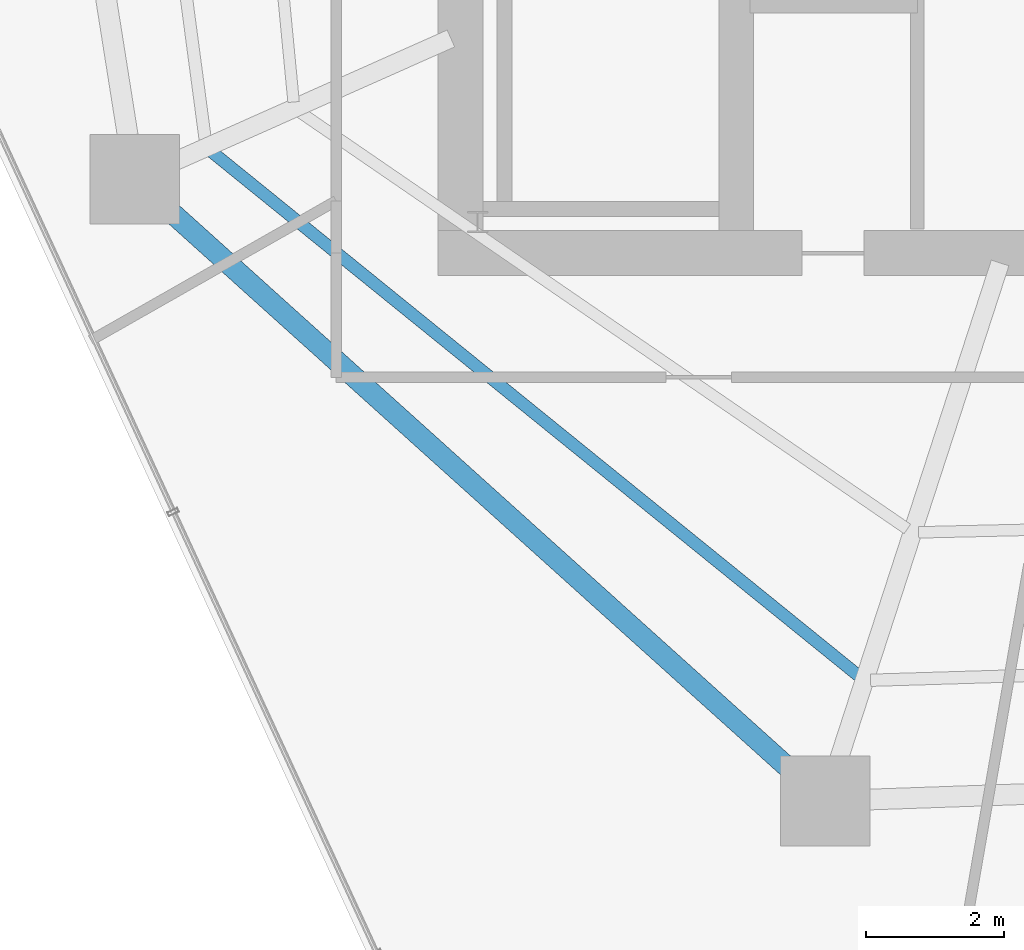
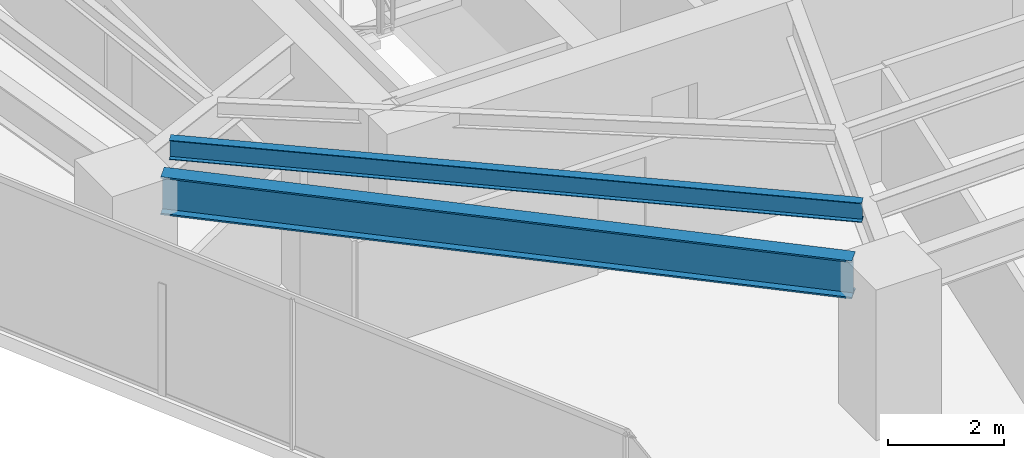
# One storey, part 4 of 30: 2 beams.
"""IFC4 building model written with IfcOpenShell, lengths in metres."""

from ifc_helpers import new_model, si_unit, direction, frame, origin, origin_2d, place, context, subcontext, project, spatial, i_section, extrude, material, material_profile, profile_set, type_object, element, save


model = new_model("IFC4")

# Units and contexts
model_context = context("Model", 3, precision=1e-05, world=origin(), true_north=direction((0.0, 1.0)))
body_context = subcontext(model_context, "Body", "Model", "MODEL_VIEW")
ifc_project = project(units=[si_unit("LENGTHUNIT", "METRE"), si_unit("AREAUNIT", "SQUARE_METRE"), si_unit("VOLUMEUNIT", "CUBIC_METRE"), si_unit("PLANEANGLEUNIT", "RADIAN"), si_unit("MASSUNIT", "GRAM", prefix="KILO")], contexts=[model_context])

# Site, building, storey
site_placement = place(None, origin())
site = spatial("IfcSite", under=ifc_project, at=site_placement, CompositionType="ELEMENT")
building_placement = place(site_placement, origin())
building = spatial("IfcBuilding", under=site, at=building_placement, Name="Qarnah Convention Tower", CompositionType="ELEMENT")
storey_placement = place(building_placement, frame((0.0, 0.0, 47.699951171875)))
storey = spatial("IfcBuildingStorey", under=building, at=storey_placement, Name="L11", CompositionType="ELEMENT", Elevation=47.699951171875)

# Beams
ifc_material = material(Name="Structural steel S355JR", Category="steel")
ifc_material_profile_1 = material_profile(ifc_material, i_section(OverallWidth=0.177978515625, OverallDepth=0.407958984375, WebThickness=0.008056640625, FlangeThickness=0.012939453125, at=origin_2d()), Name="W410X60")
ifc_profile_set_1 = profile_set([ifc_material_profile_1], Name="Structural steel S355JR")
beam_type_1 = type_object("IfcBeamType", Name="BM-JST-W410", PredefinedType="JOIST", material=ifc_profile_set_1)
beam_1_placement = place(storey_placement, frame((23.18896484375, 20.073974609375, 2.966064453125), z_axis=(0.777068026563, -0.629416620445, 0.0), x_axis=(0.629416620445, 0.777068026563, 0.0)))
element("IfcBeam", 1, at=beam_1_placement, inside=storey, type_object=beam_type_1, Name="L11 joist BM-L11-SJST-06", PredefinedType="JOIST", context=body_context, shape_type="SweptSolid", body=[
    extrude(i_section(OverallWidth=0.177978515625, OverallDepth=0.407958984375, WebThickness=0.008056640625, FlangeThickness=0.012939453125, at=origin_2d()), origin(), (0.0, 0.0, 1.0), 12.09033203125),
])
ifc_material_profile_2 = material_profile(ifc_material, i_section(OverallWidth=0.300048828125, OverallDepth=0.800048828125, WebThickness=0.01806640625, FlangeThickness=0.032958984375, at=origin_2d()), Name="HEB800")
ifc_profile_set_2 = profile_set([ifc_material_profile_2], Name="Structural steel S355JR")
beam_type_2 = type_object("IfcBeamType", Name="BM-RING-HEB800", PredefinedType="BEAM", material=ifc_profile_set_2)
beam_2_placement = place(storey_placement, frame((22.556884765625, 19.240966796875, 2.77001953125), z_axis=(0.743082870291, -0.669199408159, 0.0), x_axis=(0.669199408159, 0.743082870291, 0.0)))
element("IfcBeam", 2, at=beam_2_placement, inside=storey, type_object=beam_type_2, Name="L11 beam BM-L11-SPN-06", PredefinedType="BEAM", context=body_context, shape_type="SweptSolid", body=[
    extrude(i_section(OverallWidth=0.300048828125, OverallDepth=0.800048828125, WebThickness=0.01806640625, FlangeThickness=0.032958984375, at=origin_2d()), origin(), (0.0, 0.0, 1.0), 12.183349609375),
])

save(model, "model.ifc")
